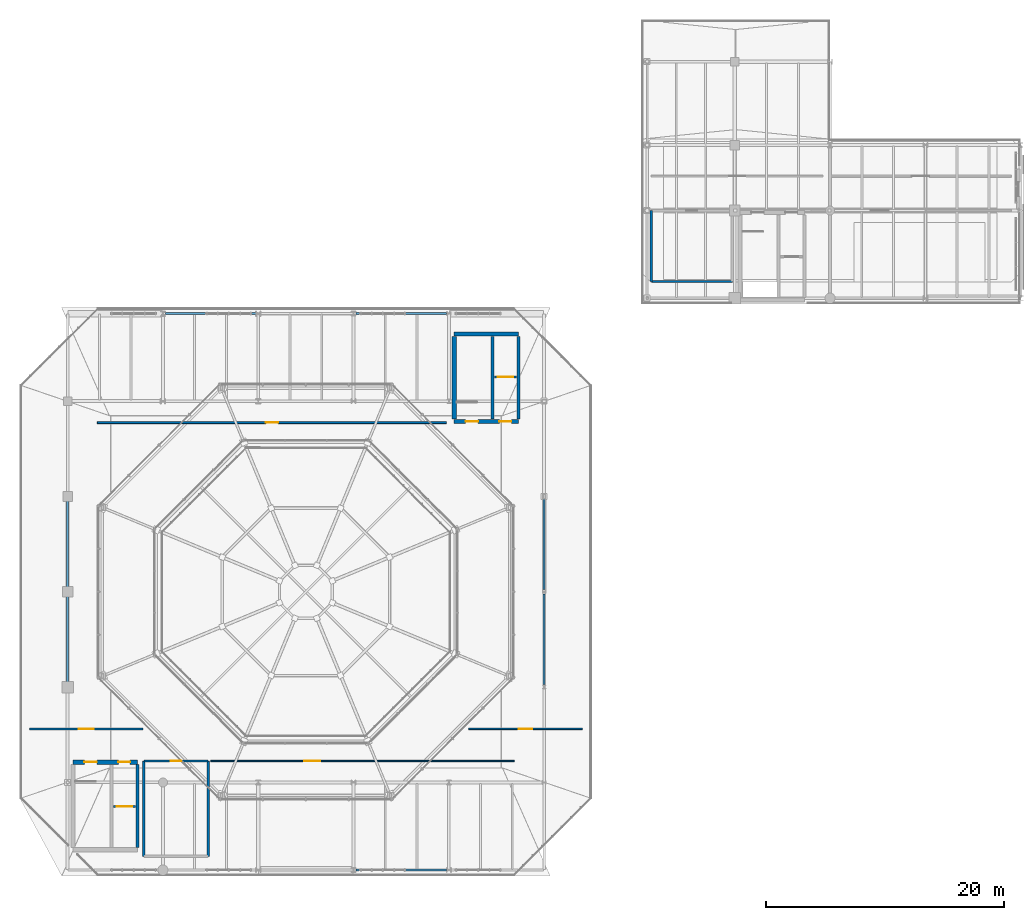
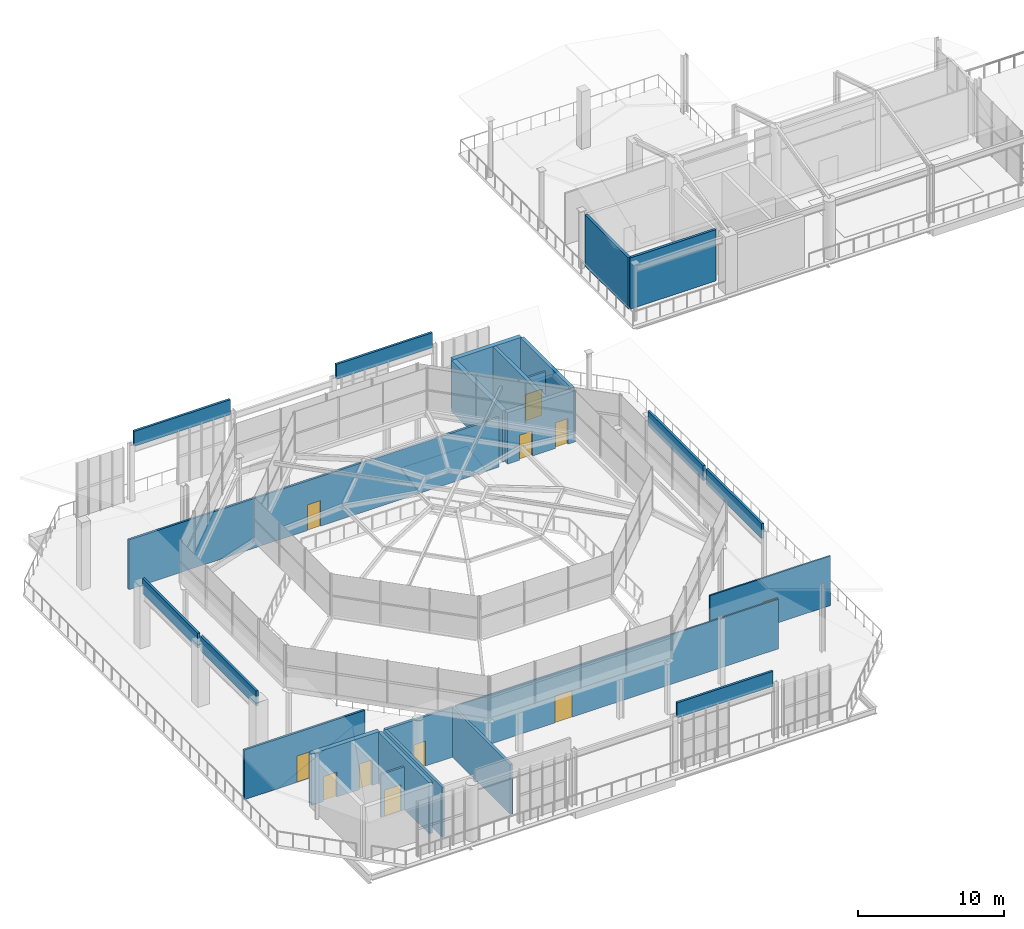
# One storey, part 24 of 30: 25 walls, 11 doors, 11 openings.
"""IFC4 building model written with IfcOpenShell, lengths in metres."""

import ifcopenshell
import ifcopenshell.guid

model = None  # the IFC model being written
_history = None  # IfcOwnerHistory: only IFC2X3 demands one
_inside = {}  # id of a spatial element -> (the spatial element, [elements in it])
_under = {}  # id of a project, library or spatial element -> (it, [spatial elements below it])
_declared = {}  # id of a project -> (the project, [libraries it declares])
_typed = {}  # id of a type object -> (the type object, [elements of that type])
_made_of = {}  # id of a material, layer set ... -> (it, [elements and type objects made of it])


def new_model(schema):
    """Start an empty IFC model of exactly this schema.

    Asked for "IFC4X3", IfcOpenShell would pick the latest addendum, in which some entities
    have other attributes; the version numbers below select the first issue.
    IFC2X3 requires an IfcOwnerHistory on every rooted entity: one is made here for all.
    """
    global model, _history
    if schema == "IFC4X3":
        model = ifcopenshell.file(schema_version=(4, 3, 0, 0))
    else:
        model = ifcopenshell.file(schema=schema)
    _inside.clear()
    _under.clear()
    _declared.clear()
    _typed.clear()
    _made_of.clear()
    _history = None
    if model.schema == "IFC2X3":
        org = make("IfcOrganization", Name="unknown")
        user = make(
            "IfcPersonAndOrganization",
            ThePerson=make("IfcPerson", FamilyName="unknown"),
            TheOrganization=org,
        )
        app = make(
            "IfcApplication",
            ApplicationDeveloper=org,
            Version="unknown",
            ApplicationFullName="unknown",
            ApplicationIdentifier="unknown",
        )
        _history = make(
            "IfcOwnerHistory",
            OwningUser=user,
            OwningApplication=app,
            ChangeAction="ADDED",
            CreationDate=0,
        )
    return model


def make(cls, **values):
    """One entity of the class cls with the attributes given. An attribute that is None is left unset."""
    return model.create_entity(
        cls, **{name: value for name, value in values.items() if value is not None}
    )


def rooted(cls, **values):
    """An entity with a GlobalId (a new one), such as an element, a storey or a relation."""
    return make(cls, GlobalId=ifcopenshell.guid.new(), OwnerHistory=_history, **values)


def si_unit(unit_type, name, prefix=None):
    """IfcSIUnit, for example si_unit("LENGTHUNIT", "METRE", prefix="MILLI")."""
    return make("IfcSIUnit", UnitType=unit_type, Prefix=prefix, Name=name)


def assignment(units):
    """IfcUnitAssignment: the units of a project."""
    return None if units is None else make("IfcUnitAssignment", Units=units)


def point(xyz):
    """IfcCartesianPoint."""
    return None if xyz is None else make("IfcCartesianPoint", Coordinates=xyz)


def direction(xyz):
    """IfcDirection."""
    return None if xyz is None else make("IfcDirection", DirectionRatios=xyz)


def frame(location, z_axis=None, x_axis=None):
    """IfcAxis2Placement3D, a coordinate frame: its origin and axes. An axis left out is left unset."""
    return make(
        "IfcAxis2Placement3D",
        Location=point(location),
        Axis=direction(z_axis),
        RefDirection=direction(x_axis),
    )


def frame_2d(location, x_axis=None):
    """IfcAxis2Placement2D, a coordinate frame in the plane: its origin and x axis."""
    return make(
        "IfcAxis2Placement2D", Location=point(location), RefDirection=direction(x_axis)
    )


def origin():
    """The frame at (0, 0, 0) with its axes left unset."""
    return frame((0.0, 0.0, 0.0))


def place(relative_to, where):
    """IfcLocalPlacement: puts the frame where relative to a parent placement (None: the world)."""
    return make(
        "IfcLocalPlacement", PlacementRelTo=relative_to, RelativePlacement=where
    )


def context(
    kind, dimensions, precision=None, world=None, true_north=None, identifier=None
):
    """IfcGeometricRepresentationContext, for example the 3D "Model" context."""
    return make(
        "IfcGeometricRepresentationContext",
        ContextIdentifier=identifier,
        ContextType=kind,
        CoordinateSpaceDimension=dimensions,
        Precision=precision,
        WorldCoordinateSystem=world,
        TrueNorth=true_north,
    )


def subcontext(parent, identifier, kind, view, scale=None):
    """IfcGeometricRepresentationSubContext, for example "Body" below "Model"."""
    return make(
        "IfcGeometricRepresentationSubContext",
        ContextIdentifier=identifier,
        ContextType=kind,
        ParentContext=parent,
        TargetScale=scale,
        TargetView=view,
    )


def project(units=None, contexts=None):
    """IfcProject with its units and contexts."""
    return rooted(
        "IfcProject",
        Name="project",
        RepresentationContexts=contexts,
        UnitsInContext=assignment(units),
    )


def spatial(cls, under=None, at=None, **own):
    """A site, building, storey or space (cls), placed at a placement, below another one or the project."""
    s = rooted(cls, ObjectPlacement=at, **own)
    if under is not None:
        _under.setdefault(under.id(), (under, []))[1].append(s)
    return s


def profile(cls, at=None, kind="AREA", **sizes):
    """A parametric profile (cls). Its sizes go by their IFC names, for example OverallWidth=200.0."""
    return make(cls, ProfileType=kind, Position=at, **sizes)


def rectangle(**sizes):
    """IfcRectangleProfileDef."""
    return profile("IfcRectangleProfileDef", **sizes)


def extrude(swept, where, along, depth):
    """IfcExtrudedAreaSolid: the profile swept, set in the frame where, extruded along a direction by depth."""
    return make(
        "IfcExtrudedAreaSolid",
        SweptArea=swept,
        Position=where,
        ExtrudedDirection=direction(along),
        Depth=depth,
    )


def shape(context_of_items, identifier, shape_type, items):
    """IfcShapeRepresentation: the items that make up one representation, for example the "Body"."""
    return make(
        "IfcShapeRepresentation",
        ContextOfItems=context_of_items,
        RepresentationIdentifier=identifier,
        RepresentationType=shape_type,
        Items=items,
    )


def material(Name=None, Category=None):
    """IfcMaterial."""
    return make("IfcMaterial", Name=Name, Category=Category)


def layer(
    of_material, thickness, ventilated=None, Name=None, Category=None, Priority=None
):
    """IfcMaterialLayer: one layer of a wall or slab, of a material (None: an air gap)."""
    return make(
        "IfcMaterialLayer",
        Material=of_material,
        LayerThickness=thickness,
        IsVentilated=ventilated,
        Name=Name,
        Category=Category,
        Priority=Priority,
    )


def layer_set(layers, Name=None):
    """IfcMaterialLayerSet."""
    return make("IfcMaterialLayerSet", MaterialLayers=layers, LayerSetName=Name)


def made_of(thing, what):
    """Note that an element or type object is made of a material, layer set ...; save() writes the relation."""
    if what is not None:
        _made_of.setdefault(what.id(), (what, []))[1].append(thing)
    return thing


def type_object(cls, material=None, **own):
    """A type object (cls), such as IfcWallType, which elements share."""
    return made_of(rooted(cls, **own), material)


def element(
    cls,
    number,
    at=None,
    inside=None,
    cuts=None,
    type_object=None,
    material=None,
    context=None,
    identifier="Body",
    shape_type=None,
    held_by="IfcProductDefinitionShape",
    body=None,
    shapes=None,
    **own,
):
    """One element of the class cls, such as IfcWall. Its Tag is "e" and its number.

    at: its placement. inside: the storey or other place that contains it. cuts: it is an
    opening in that element (IfcRelVoidsElement). A single representation is given by context,
    identifier, shape_type and body (its items); several are given by shapes. held_by: the class
    of the entity that holds the representations. save() writes the other relations.
    """
    e = rooted(cls, Tag="e%d" % number, ObjectPlacement=at, **own)
    if body is not None:
        shapes = [shape(context, identifier, shape_type, body)]
    if shapes is not None:
        e.Representation = make(held_by, Representations=shapes)
    if inside is not None:
        _inside.setdefault(inside.id(), (inside, []))[1].append(e)
    if cuts is not None:
        rooted(
            "IfcRelVoidsElement", RelatingBuildingElement=cuts, RelatedOpeningElement=e
        )
    if type_object is not None:
        _typed.setdefault(type_object.id(), (type_object, []))[1].append(e)
    return made_of(e, material)


def fill(opening, filler):
    """IfcRelFillsElement: the door or window that sits in an opening."""
    return rooted(
        "IfcRelFillsElement",
        RelatingOpeningElement=opening,
        RelatedBuildingElement=filler,
    )


def aggregate(whole, parts):
    """IfcRelAggregates: a whole, such as a stair, and the parts it consists of."""
    return rooted("IfcRelAggregates", RelatingObject=whole, RelatedObjects=parts)


def save(model, path):
    """Write the relations noted so far, then the file.

    IfcRelAggregates (storeys below a building ...), IfcRelContainedInSpatialStructure (elements
    in a storey), IfcRelDefinesByType, IfcRelAssociatesMaterial and IfcRelDeclares: one each for
    every whole, place, type object, material and project.
    """
    for whole, parts in _under.values():
        aggregate(whole, parts)
    for where, things in _inside.values():
        rooted(
            "IfcRelContainedInSpatialStructure",
            RelatedElements=things,
            RelatingStructure=where,
        )
    for kind, things in _typed.values():
        rooted("IfcRelDefinesByType", RelatedObjects=things, RelatingType=kind)
    for what, things in _made_of.values():
        rooted("IfcRelAssociatesMaterial", RelatedObjects=things, RelatingMaterial=what)
    for by, libraries in _declared.values():
        rooted("IfcRelDeclares", RelatingContext=by, RelatedDefinitions=libraries)
    model.write(path)


model = new_model("IFC4")

# Units and contexts
model_context = context("Model", 3, precision=1e-05, world=origin(), true_north=direction((0.0, 1.0)))
body_context = subcontext(model_context, "Body", "Model", "MODEL_VIEW")
ifc_project = project(units=[si_unit("LENGTHUNIT", "METRE"), si_unit("AREAUNIT", "SQUARE_METRE"), si_unit("VOLUMEUNIT", "CUBIC_METRE"), si_unit("PLANEANGLEUNIT", "RADIAN"), si_unit("MASSUNIT", "GRAM", prefix="KILO")], contexts=[model_context])

# Site, building, storey
site_placement = place(None, origin())
site = spatial("IfcSite", under=ifc_project, at=site_placement, CompositionType="ELEMENT")
building_placement = place(site_placement, origin())
building = spatial("IfcBuilding", under=site, at=building_placement, Name="Brisemont Oceanarium", CompositionType="ELEMENT")
storey_placement = place(building_placement, frame((0.0, 0.0, 19.800048828125)))
storey = spatial("IfcBuildingStorey", under=building, at=storey_placement, Name="L04", CompositionType="ELEMENT", Elevation=19.800048828125)

# Walls
ifc_material_1 = material(Name="Precast Concrete C40/50", Category="concrete")
ifc_layer_1 = layer(ifc_material_1, 0.179931640625)
ifc_layer_set_1 = layer_set([ifc_layer_1], Name="Precast Concrete C40/50")
wall_type_1 = type_object("IfcWallType", Name="EW-PARAPET-180", PredefinedType="PARAPET", material=ifc_layer_set_1)
for number, where, z_axis, x_axis, name in (
    (1, (88.199951171875, 32.64990234375, 4.449951171875), (0.0, 0.0, 1.0), (1.0, 0.0, 0.0), "Precast stone cornice parapet PAR-V1-S2"),
    (2, (72.199951171875, 79.35009765625, 4.449951171875), (0.0, 0.0, 1.0), (1.0, 0.0, 0.0), "Precast stone cornice parapet PAR-V1-N1"),
    (3, (88.199951171875, 79.35009765625, 4.449951171875), (0.0, 0.0, 1.0), (1.0, 0.0, 0.0), "Precast stone cornice parapet PAR-V1-N2"),
    (4, (64.0, 48.199951171875, 4.449951171875), (0.0, 0.0, 1.0), (0.0, 1.0, 0.0), "Precast stone cornice parapet PAR-V1-W1"),
    (5, (64.0, 56.199951171875, 4.449951171875), (0.0, 0.0, 1.0), (0.0, 1.0, 0.0), "Precast stone cornice parapet PAR-V1-W2"),
    (6, (104.0, 48.199951171875, 4.449951171875), (0.0, 0.0, 1.0), (0.0, 1.0, 0.0), "Precast stone cornice parapet PAR-V1-E1"),
    (7, (104.0, 56.199951171875, 4.449951171875), (0.0, 0.0, 1.0), (0.0, 1.0, 0.0), "Precast stone cornice parapet PAR-V1-E2"),
):
    element("IfcWall", number, at=place(storey_placement, frame(where, z_axis=z_axis, x_axis=x_axis)), inside=storey, type_object=wall_type_1, Name=name, PredefinedType="PARAPET", context=body_context, shape_type="SweptSolid", body=[
        extrude(rectangle(XDim=7.60009765625, YDim=0.179931640625, at=frame_2d((3.800048828125, 0.0))), origin(), (0.0, 0.0, 1.0), 1.25),
    ])

# Wall, opening, door
ifc_material_2 = material(Name="Moisture-Resistant Gypsum Steel-Stud Partition", Category="steel")
ifc_layer_2 = layer(ifc_material_2, 0.159912109375)
ifc_layer_set_2 = layer_set([ifc_layer_2], Name="Moisture-Resistant Gypsum Steel-Stud Partition")
wall_type_2 = type_object("IfcWallType", Name="IW-FB-160", PredefinedType="PARTITIONING", material=ifc_layer_set_2)
wall_1_placement = place(storey_placement, frame((67.85009765625, 37.97998046875, 0.0), z_axis=(0.0, 0.0, 1.0), x_axis=(1.0, 0.0, 0.0)))
wall_1 = element("IfcWall", 8, at=wall_1_placement, inside=storey, type_object=wall_type_2, Name="Core C1 L04 lift hoistway front wall", PredefinedType="PARTITIONING", context=body_context, shape_type="SweptSolid", body=[
    extrude(rectangle(XDim=1.83984375, YDim=0.159912109375, at=frame_2d((0.919921875, 0.0))), origin(), (0.0, 0.0, 1.0), 3.599853515625),
])
opening_1_placement = place(wall_1_placement, frame((0.27001953125, 0.0, 0.0)))
opening_1 = element("IfcOpeningElement", 9, at=opening_1_placement, cuts=wall_1, Name="Opening LD-02", PredefinedType="OPENING", context=body_context, shape_type="SweptSolid", body=[
    extrude(rectangle(XDim=1.300048828125, YDim=2.199951171875, at=frame_2d((0.64990234375, 1.10009765625))), frame((0.0, 0.08984375, 0.0), z_axis=(0.0, -1.0, 0.0), x_axis=(1.0, 0.0, 0.0)), (0.0, 0.0, 1.0), 0.179931640625),
])
ifc_material_3 = material(Name="Duplex Stainless Steel EN 1.4462", Category="steel")
door_type_1 = type_object("IfcDoorType", Name="DR-LIFT-1300X2200", OperationType="NOTDEFINED", PredefinedType="DOOR", material=ifc_material_3)
door_1_placement = place(opening_1_placement, origin())
door_1 = element("IfcDoor", 10, at=door_1_placement, inside=storey, type_object=door_type_1, Name="Lift landing door LF-01 L04", OperationType="SLIDING_TO_LEFT", OverallHeight=2.199951171875, OverallWidth=1.300048828125, PredefinedType="DOOR", context=body_context, shape_type="SweptSolid", body=[
    extrude(rectangle(XDim=1.300048828125, YDim=2.199951171875, at=frame_2d((0.64990234375, 1.10009765625))), frame((0.0, 0.02490234375, 0.0), z_axis=(0.0, -1.0, 0.0), x_axis=(1.0, 0.0, 0.0)), (0.0, 0.0, 1.0), 0.050048828125),
])
fill(opening_1, door_1)

wall_2_placement = place(storey_placement, frame((99.85009765625, 74.02001953125, 0.0), z_axis=(0.0, 0.0, 1.0), x_axis=(1.0, 0.0, 0.0)))
wall_2 = element("IfcWall", 11, at=wall_2_placement, inside=storey, type_object=wall_type_2, Name="Core C2 L04 lift hoistway front wall", PredefinedType="PARTITIONING", context=body_context, shape_type="SweptSolid", body=[
    extrude(rectangle(XDim=1.83984375, YDim=0.159912109375, at=frame_2d((0.919921875, 0.0))), origin(), (0.0, 0.0, 1.0), 3.599853515625),
])
opening_2_placement = place(wall_2_placement, frame((0.27001953125, 0.0, 0.0)))
opening_2 = element("IfcOpeningElement", 12, at=opening_2_placement, cuts=wall_2, Name="Opening LD-02", PredefinedType="OPENING", context=body_context, shape_type="SweptSolid", body=[
    extrude(rectangle(XDim=1.300048828125, YDim=2.199951171875, at=frame_2d((0.64990234375, 1.10009765625))), frame((0.0, 0.08984375, 0.0), z_axis=(0.0, -1.0, 0.0), x_axis=(1.0, 0.0, 0.0)), (0.0, 0.0, 1.0), 0.179931640625),
])
door_2_placement = place(opening_2_placement, origin())
door_2 = element("IfcDoor", 13, at=door_2_placement, inside=storey, type_object=door_type_1, Name="Lift landing door LF-02 L04", OperationType="SLIDING_TO_LEFT", OverallHeight=2.199951171875, OverallWidth=1.300048828125, PredefinedType="DOOR", context=body_context, shape_type="SweptSolid", body=[
    extrude(rectangle(XDim=1.300048828125, YDim=2.199951171875, at=frame_2d((0.64990234375, 1.10009765625))), frame((0.0, 0.02490234375, 0.0), z_axis=(0.0, -1.0, 0.0), x_axis=(1.0, 0.0, 0.0)), (0.0, 0.0, 1.0), 0.050048828125),
])
fill(opening_2, door_2)

wall_3_placement = place(storey_placement, frame((60.800048828125, 44.5, 0.0), z_axis=(0.0, 0.0, 1.0), x_axis=(1.0, 0.0, 0.0)))
wall_3 = element("IfcWall", 14, at=wall_3_placement, inside=storey, type_object=wall_type_2, Name="Golden Gate Tides Lantern Exhibit Gallery corridor partition", PredefinedType="PARTITIONING", context=body_context, shape_type="SweptSolid", body=[
    extrude(rectangle(XDim=9.5400390625, YDim=0.159912109375, at=frame_2d((4.77001953125, 0.0))), origin(), (0.0, 0.0, 1.0), 4.156982421875),
])
opening_3_placement = place(wall_3_placement, frame((4.14501953125, 0.0, 0.0)))
opening_3 = element("IfcOpeningElement", 15, at=opening_3_placement, cuts=wall_3, Name="Opening LB-02", PredefinedType="OPENING", context=body_context, shape_type="SweptSolid", body=[
    extrude(rectangle(XDim=1.25, YDim=2.199951171875, at=frame_2d((0.625, 1.10009765625))), frame((0.0, 0.08984375, 0.0), z_axis=(0.0, -1.0, 0.0), x_axis=(1.0, 0.0, 0.0)), (0.0, 0.0, 1.0), 0.179931640625),
])
ifc_material_4 = material(Name="Duplex Stainless Steel EN 1.4462", Category="steel")
door_type_2 = type_object("IfcDoorType", Name="DR-LAB-1250X2200", OperationType="NOTDEFINED", PredefinedType="DOOR", material=ifc_material_4)
door_3_placement = place(opening_3_placement, origin())
door_3 = element("IfcDoor", 16, at=door_3_placement, inside=storey, type_object=door_type_2, Name="LB-02 door to Golden Gate Tides Lantern Exhibit Gallery", OperationType="SINGLE_SWING_RIGHT", OverallHeight=2.199951171875, OverallWidth=1.25, PredefinedType="DOOR", context=body_context, shape_type="SweptSolid", body=[
    extrude(rectangle(XDim=1.25, YDim=2.199951171875, at=frame_2d((0.625, 1.10009765625))), frame((0.0, 0.02490234375, 0.0), z_axis=(0.0, -1.0, 0.0), x_axis=(1.0, 0.0, 0.0)), (0.0, 0.0, 1.0), 0.050048828125),
])
fill(opening_3, door_3)

wall_4_placement = place(storey_placement, frame((66.5, 70.199951171875, 0.0), z_axis=(0.0, 0.0, 1.0), x_axis=(1.0, 0.0, 0.0)))
wall_4 = element("IfcWall", 17, at=wall_4_placement, inside=storey, type_object=wall_type_2, Name="Rotunda Oculus Interpretive Salon corridor partition", PredefinedType="PARTITIONING", context=body_context, shape_type="SweptSolid", body=[
    extrude(rectangle(XDim=29.300048828125, YDim=0.159912109375, at=frame_2d((14.64990234375, 0.0))), origin(), (0.0, 0.0, 1.0), 4.156982421875),
])
opening_4_placement = place(wall_4_placement, frame((14.139892578125, 0.0, 0.0)))
opening_4 = element("IfcOpeningElement", 18, at=opening_4_placement, cuts=wall_4, Name="Opening D-01", PredefinedType="OPENING", context=body_context, shape_type="SweptSolid", body=[
    extrude(rectangle(XDim=1.02001953125, YDim=2.14990234375, at=frame_2d((0.510009765625, 1.074951171875))), frame((0.0, 0.08984375, 0.0), z_axis=(0.0, -1.0, 0.0), x_axis=(1.0, 0.0, 0.0)), (0.0, 0.0, 1.0), 0.179931640625),
])
ifc_material_5 = material(Name="FSC White Oak Solid-Core Fire Door")
door_type_3 = type_object("IfcDoorType", Name="DR-RM-1020X2150", OperationType="NOTDEFINED", PredefinedType="DOOR", material=ifc_material_5)
door_4_placement = place(opening_4_placement, origin())
door_4 = element("IfcDoor", 19, at=door_4_placement, inside=storey, type_object=door_type_3, Name="D-01 door to Rotunda Oculus Interpretive Salon", OperationType="SINGLE_SWING_RIGHT", OverallHeight=2.14990234375, OverallWidth=1.02001953125, PredefinedType="DOOR", context=body_context, shape_type="SweptSolid", body=[
    extrude(rectangle(XDim=1.02001953125, YDim=2.14990234375, at=frame_2d((0.510009765625, 1.074951171875))), frame((0.0, 0.02490234375, 0.0), z_axis=(0.0, -1.0, 0.0), x_axis=(1.0, 0.0, 0.0)), (0.0, 0.0, 1.0), 0.050048828125),
])
fill(opening_4, door_4)

ifc_material_6 = material(Name="Moisture-Resistant Gypsum Steel-Stud Partition", Category="steel")
ifc_layer_3 = layer(ifc_material_6, 0.1201171875)
ifc_layer_set_3 = layer_set([ifc_layer_3], Name="Moisture-Resistant Gypsum Steel-Stud Partition")
wall_type_3 = type_object("IfcWallType", Name="IW-PART-120", PredefinedType="PARTITIONING", material=ifc_layer_set_3)
wall_5_placement = place(storey_placement, frame((76.0, 41.800048828125, 0.0), z_axis=(0.0, 0.0, 1.0), x_axis=(1.0, 0.0, 0.0)))
wall_5 = element("IfcWall", 20, at=wall_5_placement, inside=storey, type_object=wall_type_3, Name="Lantern Crown Horizon Exhibit Gallery corridor partition", PredefinedType="PARTITIONING", context=body_context, shape_type="SweptSolid", body=[
    extrude(rectangle(XDim=25.5, YDim=0.1201171875, at=frame_2d((12.75, 0.0))), origin(), (0.0, 0.0, 1.0), 4.156982421875),
])
opening_5_placement = place(wall_5_placement, frame((7.84326171875, 0.0, 0.0)))
opening_5 = element("IfcOpeningElement", 21, at=opening_5_placement, cuts=wall_5, Name="Opening LB-01", PredefinedType="OPENING", context=body_context, shape_type="SweptSolid", body=[
    extrude(rectangle(XDim=1.35009765625, YDim=2.25, at=frame_2d((0.675048828125, 1.125))), frame((0.0, 0.070068359375, 0.0), z_axis=(0.0, -1.0, 0.0), x_axis=(1.0, 0.0, 0.0)), (0.0, 0.0, 1.0), 0.14013671875),
])
ifc_material_7 = material(Name="Duplex Stainless Steel EN 1.4462", Category="steel")
door_type_4 = type_object("IfcDoorType", Name="DR-LAB-1350X2250", OperationType="NOTDEFINED", PredefinedType="DOOR", material=ifc_material_7)
door_5_placement = place(opening_5_placement, origin())
door_5 = element("IfcDoor", 22, at=door_5_placement, inside=storey, type_object=door_type_4, Name="LB-01 door to Lantern Crown Horizon Exhibit Gallery", OperationType="SINGLE_SWING_LEFT", OverallHeight=2.25, OverallWidth=1.35009765625, PredefinedType="DOOR", context=body_context, shape_type="SweptSolid", body=[
    extrude(rectangle(XDim=1.35009765625, YDim=2.25, at=frame_2d((0.675048828125, 1.125))), frame((0.0, 0.02490234375, 0.0), z_axis=(0.0, -1.0, 0.0), x_axis=(1.0, 0.0, 0.0)), (0.0, 0.0, 1.0), 0.050048828125),
])
fill(opening_5, door_5)

wall_6_placement = place(storey_placement, frame((97.659912109375, 44.5, 0.0), z_axis=(0.0, 0.0, 1.0), x_axis=(1.0, 0.0, 0.0)))
wall_6 = element("IfcWall", 23, at=wall_6_placement, inside=storey, type_object=wall_type_3, Name="Farallon Sanctuary Lantern Exhibit Gallery corridor partition", PredefinedType="PARTITIONING", context=body_context, shape_type="SweptSolid", body=[
    extrude(rectangle(XDim=9.5400390625, YDim=0.1201171875, at=frame_2d((4.77001953125, 0.0))), origin(), (0.0, 0.0, 1.0), 4.156982421875),
])
opening_6_placement = place(wall_6_placement, frame((4.2099609375, 0.0, 0.0)))
opening_6 = element("IfcOpeningElement", 24, at=opening_6_placement, cuts=wall_6, Name="Opening LB-03", PredefinedType="OPENING", context=body_context, shape_type="SweptSolid", body=[
    extrude(rectangle(XDim=1.1201171875, YDim=2.14990234375, at=frame_2d((0.56005859375, 1.074951171875))), frame((0.0, 0.070068359375, 0.0), z_axis=(0.0, -1.0, 0.0), x_axis=(1.0, 0.0, 0.0)), (0.0, 0.0, 1.0), 0.14013671875),
])
ifc_material_8 = material(Name="Duplex Stainless Steel EN 1.4462", Category="steel")
door_type_5 = type_object("IfcDoorType", Name="DR-LAB-1120X2150", OperationType="NOTDEFINED", PredefinedType="DOOR", material=ifc_material_8)
door_6_placement = place(opening_6_placement, origin())
door_6 = element("IfcDoor", 25, at=door_6_placement, inside=storey, type_object=door_type_5, Name="LB-03 door to Farallon Sanctuary Lantern Exhibit Gallery", OperationType="SINGLE_SWING_LEFT", OverallHeight=2.14990234375, OverallWidth=1.1201171875, PredefinedType="DOOR", context=body_context, shape_type="SweptSolid", body=[
    extrude(rectangle(XDim=1.1201171875, YDim=2.14990234375, at=frame_2d((0.56005859375, 1.074951171875))), frame((0.0, 0.02490234375, 0.0), z_axis=(0.0, -1.0, 0.0), x_axis=(1.0, 0.0, 0.0)), (0.0, 0.0, 1.0), 0.050048828125),
])
fill(opening_6, door_6)

ifc_material_9 = material(Name="Cementitious Tile-Backer Plumbing Wall")
ifc_layer_4 = layer(ifc_material_9, 0.199951171875)
ifc_layer_set_4 = layer_set([ifc_layer_4], Name="Cementitious Tile-Backer Plumbing Wall")
wall_type_4 = type_object("IfcWallType", Name="IW-PLUMB-200", PredefinedType="PLUMBINGWALL", material=ifc_layer_set_4)
wall_7_placement = place(storey_placement, frame((70.39990234375, 41.800048828125, 0.0), z_axis=(0.0, 0.0, 1.0), x_axis=(1.0, 0.0, 0.0)))
wall_7 = element("IfcWall", 26, at=wall_7_placement, inside=storey, type_object=wall_type_4, Name="Accessible WC corridor partition", PredefinedType="PLUMBINGWALL", context=body_context, shape_type="SweptSolid", body=[
    extrude(rectangle(XDim=5.400146484375, YDim=0.199951171875, at=frame_2d((2.7001953125, 0.0))), origin(), (0.0, 0.0, 1.0), 4.156982421875),
])
opening_7_placement = place(wall_7_placement, frame((2.2451171875, 0.0, 0.0)))
opening_7 = element("IfcOpeningElement", 27, at=opening_7_placement, cuts=wall_7, Name="Opening D-03", PredefinedType="OPENING", context=body_context, shape_type="SweptSolid", body=[
    extrude(rectangle(XDim=0.909912109375, YDim=2.10009765625, at=frame_2d((0.455078125, 1.050048828125))), frame((0.0, 0.10986328125, 0.0), z_axis=(0.0, -1.0, 0.0), x_axis=(1.0, 0.0, 0.0)), (0.0, 0.0, 1.0), 0.219970703125),
])
ifc_material_10 = material(Name="FSC White Oak Solid-Core Fire Door")
door_type_6 = type_object("IfcDoorType", Name="DR-WC-910X2100", OperationType="NOTDEFINED", PredefinedType="DOOR", material=ifc_material_10)
door_7_placement = place(opening_7_placement, origin())
door_7 = element("IfcDoor", 28, at=door_7_placement, inside=storey, type_object=door_type_6, Name="D-03 door to Accessible WC", OperationType="SINGLE_SWING_RIGHT", OverallHeight=2.10009765625, OverallWidth=0.909912109375, PredefinedType="DOOR", context=body_context, shape_type="SweptSolid", body=[
    extrude(rectangle(XDim=0.909912109375, YDim=2.10009765625, at=frame_2d((0.455078125, 1.050048828125))), frame((0.0, 0.02490234375, 0.0), z_axis=(0.0, -1.0, 0.0), x_axis=(1.0, 0.0, 0.0)), (0.0, 0.0, 1.0), 0.050048828125),
])
fill(opening_7, door_7)

# Walls
for number, where, z_axis, x_axis, name in (
    (29, (70.39990234375, 33.800048828125, 0.0), (0.0, 0.0, 1.0), (0.0, 1.0, 0.0), "Accessible WC enclosure wall W"),
    (30, (75.800048828125, 33.800048828125, 0.0), (0.0, 0.0, 1.0), (0.0, 1.0, 0.0), "Accessible WC enclosure wall E"),
):
    element("IfcWall", number, at=place(storey_placement, frame(where, z_axis=z_axis, x_axis=x_axis)), inside=storey, type_object=wall_type_4, Name=name, PredefinedType="PLUMBINGWALL", context=body_context, shape_type="SweptSolid", body=[
        extrude(rectangle(XDim=8.0, YDim=0.199951171875, at=frame_2d((4.0, 0.0))), origin(), (0.0, 0.0, 1.0), 4.156982421875),
    ])
wall_8_placement = place(storey_placement, frame((113.0, 82.050048828125, 0.0), z_axis=(0.0, 0.0, 1.0), x_axis=(1.0, 0.0, 0.0)))
element("IfcWall", 31, at=wall_8_placement, inside=storey, type_object=wall_type_4, Name="Accessible WC enclosure wall S", PredefinedType="PLUMBINGWALL", context=body_context, shape_type="SweptSolid", body=[
    extrude(rectangle(XDim=6.800048828125, YDim=0.199951171875, at=frame_2d((3.39990234375, 0.0))), origin(), (0.0, 0.0, 1.0), 4.2900390625),
])
wall_9_placement = place(storey_placement, frame((113.0, 82.050048828125, 0.0), z_axis=(0.0, 0.0, 1.0), x_axis=(0.0, 1.0, 0.0)))
element("IfcWall", 32, at=wall_9_placement, inside=storey, type_object=wall_type_4, Name="Accessible WC enclosure wall W", PredefinedType="PLUMBINGWALL", context=body_context, shape_type="SweptSolid", body=[
    extrude(rectangle(XDim=5.949951171875, YDim=0.199951171875, at=frame_2d((2.97509765625, 0.0))), origin(), (0.0, 0.0, 1.0), 4.2900390625),
])
ifc_material_11 = material(Name="Concrete C40/50", Category="concrete")
ifc_layer_5 = layer(ifc_material_11, 0.260009765625)
ifc_layer_set_5 = layer_set([ifc_layer_5], Name="Concrete C40/50")
wall_type_5 = type_object("IfcWallType", Name="SW-SHAFT-260", PredefinedType="SHEAR", material=ifc_layer_set_5)
for number, where, z_axis, x_axis, name in (
    (33, (69.85009765625, 34.550048828125, 0.0), (0.0, 0.0, 1.0), (0.0, 1.0, 0.0), "Core C1 L04 E RC shear wall"),
    (34, (101.85009765625, 70.5, 0.0), (0.0, 0.0, 1.0), (0.0, 1.0, 0.0), "Core C2 L04 E RC shear wall"),
    (35, (99.669921875, 70.5, 0.0), (0.0, 0.0, 1.0), (0.0, 1.0, 0.0), "Core C2 L04 MID RC shear wall"),
):
    element("IfcWall", number, at=place(storey_placement, frame(where, z_axis=z_axis, x_axis=x_axis)), inside=storey, type_object=wall_type_5, Name=name, PredefinedType="SHEAR", context=body_context, shape_type="SweptSolid", body=[
        extrude(rectangle(XDim=6.949951171875, YDim=0.260009765625, at=frame_2d((3.47509765625, 0.0))), origin(), (0.0, 0.0, 1.0), 4.300048828125),
    ])

# Wall, openings, doors
ifc_material_12 = material(Name="Concrete C40/50", Category="concrete")
ifc_layer_6 = layer(ifc_material_12, 0.35009765625)
ifc_layer_set_6 = layer_set([ifc_layer_6], Name="Concrete C40/50")
wall_type_6 = type_object("IfcWallType", Name="SW-STAIR-350", PredefinedType="SHEAR", material=ifc_layer_set_6)
wall_10_placement = place(storey_placement, frame((64.449951171875, 41.699951171875, 0.0), z_axis=(0.0, 0.0, 1.0), x_axis=(1.0, 0.0, 0.0)))
wall_10 = element("IfcWall", 36, at=wall_10_placement, inside=storey, type_object=wall_type_6, Name="Core C1 L04 corridor RC shear wall", PredefinedType="SHEAR", context=body_context, shape_type="SweptSolid", body=[
    extrude(rectangle(XDim=5.400146484375, YDim=0.35009765625, at=frame_2d((2.7001953125, 0.0))), origin(), (0.0, 0.0, 1.0), 4.300048828125),
])
opening_8_placement = place(wall_10_placement, frame((0.949951171875, 0.0, 0.0)))
opening_8 = element("IfcOpeningElement", 37, at=opening_8_placement, cuts=wall_10, Name="Opening SD-02", PredefinedType="OPENING", context=body_context, shape_type="SweptSolid", body=[
    extrude(rectangle(XDim=1.050048828125, YDim=2.10009765625, at=frame_2d((0.52490234375, 1.050048828125))), frame((0.0, 0.18505859375, 0.0), z_axis=(0.0, -1.0, 0.0), x_axis=(1.0, 0.0, 0.0)), (0.0, 0.0, 1.0), 0.3701171875),
])
opening_9_placement = place(wall_10_placement, frame((3.800048828125, 0.0, 0.0)))
opening_9 = element("IfcOpeningElement", 38, at=opening_9_placement, cuts=wall_10, Name="Opening FD90-2", PredefinedType="OPENING", context=body_context, shape_type="SweptSolid", body=[
    extrude(rectangle(XDim=1.0, YDim=2.14990234375, at=frame_2d((0.5, 1.074951171875))), frame((0.0, 0.18505859375, 0.0), z_axis=(0.0, -1.0, 0.0), x_axis=(1.0, 0.0, 0.0)), (0.0, 0.0, 1.0), 0.3701171875),
])
ifc_material_13 = material(Name="FSC White Oak Solid-Core Fire Door")
door_type_7 = type_object("IfcDoorType", Name="DR-LOB-1000X2150", OperationType="NOTDEFINED", PredefinedType="DOOR", material=ifc_material_13)
door_8_placement = place(opening_9_placement, origin())
door_8 = element("IfcDoor", 39, at=door_8_placement, inside=storey, type_object=door_type_7, Name="Lift lobby door C1 L04", OperationType="SINGLE_SWING_RIGHT", OverallHeight=2.14990234375, OverallWidth=1.0, PredefinedType="DOOR", context=body_context, shape_type="SweptSolid", body=[
    extrude(rectangle(XDim=1.0, YDim=2.14990234375, at=frame_2d((0.5, 1.074951171875))), frame((0.0, 0.02490234375, 0.0), z_axis=(0.0, -1.0, 0.0), x_axis=(1.0, 0.0, 0.0)), (0.0, 0.0, 1.0), 0.050048828125),
])
fill(opening_9, door_8)
ifc_material_14 = material(Name="Duplex Stainless Steel EN 1.4462", Category="steel")
door_type_8 = type_object("IfcDoorType", Name="DR-STAIR-1050X2100", OperationType="NOTDEFINED", PredefinedType="DOOR", material=ifc_material_14)
door_9_placement = place(opening_8_placement, origin())
door_9 = element("IfcDoor", 40, at=door_9_placement, inside=storey, type_object=door_type_8, Name="Exit stair door ST-01 L04", OperationType="SINGLE_SWING_LEFT", OverallHeight=2.10009765625, OverallWidth=1.050048828125, PredefinedType="DOOR", context=body_context, shape_type="SweptSolid", body=[
    extrude(rectangle(XDim=1.050048828125, YDim=2.10009765625, at=frame_2d((0.52490234375, 1.050048828125))), frame((0.0, 0.02490234375, 0.0), z_axis=(0.0, -1.0, 0.0), x_axis=(1.0, 0.0, 0.0)), (0.0, 0.0, 1.0), 0.050048828125),
])
fill(opening_8, door_9)

wall_11_placement = place(storey_placement, frame((96.449951171875, 70.300048828125, 0.0), z_axis=(0.0, 0.0, 1.0), x_axis=(1.0, 0.0, 0.0)))
wall_11 = element("IfcWall", 41, at=wall_11_placement, inside=storey, type_object=wall_type_6, Name="Core C2 L04 corridor RC shear wall", PredefinedType="SHEAR", context=body_context, shape_type="SweptSolid", body=[
    extrude(rectangle(XDim=5.400146484375, YDim=0.35009765625, at=frame_2d((2.7001953125, 0.0))), origin(), (0.0, 0.0, 1.0), 4.300048828125),
])
opening_10_placement = place(wall_11_placement, frame((0.949951171875, 0.0, 0.0)))
opening_10 = element("IfcOpeningElement", 42, at=opening_10_placement, cuts=wall_11, Name="Opening SD-02", PredefinedType="OPENING", context=body_context, shape_type="SweptSolid", body=[
    extrude(rectangle(XDim=1.050048828125, YDim=2.10009765625, at=frame_2d((0.52490234375, 1.050048828125))), frame((0.0, 0.18505859375, 0.0), z_axis=(0.0, -1.0, 0.0), x_axis=(1.0, 0.0, 0.0)), (0.0, 0.0, 1.0), 0.3701171875),
])
opening_11_placement = place(wall_11_placement, frame((3.800048828125, 0.0, 0.0)))
opening_11 = element("IfcOpeningElement", 43, at=opening_11_placement, cuts=wall_11, Name="Opening FD90-2", PredefinedType="OPENING", context=body_context, shape_type="SweptSolid", body=[
    extrude(rectangle(XDim=1.0, YDim=2.14990234375, at=frame_2d((0.5, 1.074951171875))), frame((0.0, 0.18505859375, 0.0), z_axis=(0.0, -1.0, 0.0), x_axis=(1.0, 0.0, 0.0)), (0.0, 0.0, 1.0), 0.3701171875),
])
door_10_placement = place(opening_11_placement, origin())
door_10 = element("IfcDoor", 44, at=door_10_placement, inside=storey, type_object=door_type_7, Name="Lift lobby door C2 L04", OperationType="SINGLE_SWING_LEFT", OverallHeight=2.14990234375, OverallWidth=1.0, PredefinedType="DOOR", context=body_context, shape_type="SweptSolid", body=[
    extrude(rectangle(XDim=1.0, YDim=2.14990234375, at=frame_2d((0.5, 1.074951171875))), frame((0.0, 0.02490234375, 0.0), z_axis=(0.0, -1.0, 0.0), x_axis=(1.0, 0.0, 0.0)), (0.0, 0.0, 1.0), 0.050048828125),
])
fill(opening_11, door_10)
door_11_placement = place(opening_10_placement, origin())
door_11 = element("IfcDoor", 45, at=door_11_placement, inside=storey, type_object=door_type_8, Name="Exit stair door ST-02 L04", OperationType="SINGLE_SWING_RIGHT", OverallHeight=2.10009765625, OverallWidth=1.050048828125, PredefinedType="DOOR", context=body_context, shape_type="SweptSolid", body=[
    extrude(rectangle(XDim=1.050048828125, YDim=2.10009765625, at=frame_2d((0.52490234375, 1.050048828125))), frame((0.0, 0.02490234375, 0.0), z_axis=(0.0, -1.0, 0.0), x_axis=(1.0, 0.0, 0.0)), (0.0, 0.0, 1.0), 0.050048828125),
])
fill(opening_10, door_11)

# Walls
wall_12_placement = place(storey_placement, frame((96.449951171875, 77.64990234375, 0.0), z_axis=(0.0, 0.0, 1.0), x_axis=(1.0, 0.0, 0.0)))
element("IfcWall", 46, at=wall_12_placement, inside=storey, type_object=wall_type_6, Name="Core C2 L04 BCK RC shear wall", PredefinedType="SHEAR", context=body_context, shape_type="SweptSolid", body=[
    extrude(rectangle(XDim=5.400146484375, YDim=0.35009765625, at=frame_2d((2.7001953125, 0.0))), origin(), (0.0, 0.0, 1.0), 4.300048828125),
])
wall_13_placement = place(storey_placement, frame((96.449951171875, 70.5, 0.0), z_axis=(0.0, 0.0, 1.0), x_axis=(0.0, 1.0, 0.0)))
element("IfcWall", 47, at=wall_13_placement, inside=storey, type_object=wall_type_6, Name="Core C2 L04 W RC shear wall", PredefinedType="SHEAR", context=body_context, shape_type="SweptSolid", body=[
    extrude(rectangle(XDim=6.949951171875, YDim=0.35009765625, at=frame_2d((3.47509765625, 0.0))), origin(), (0.0, 0.0, 1.0), 4.300048828125),
])

save(model, "model.ifc")
